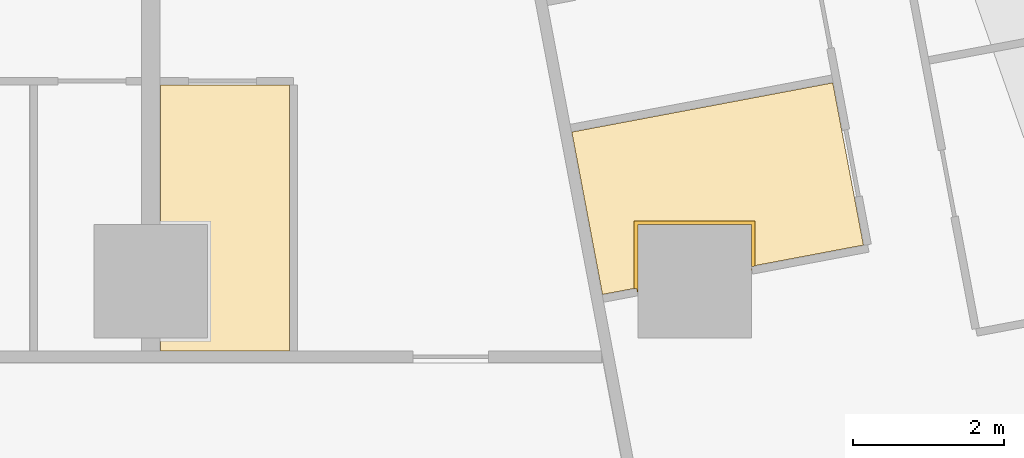
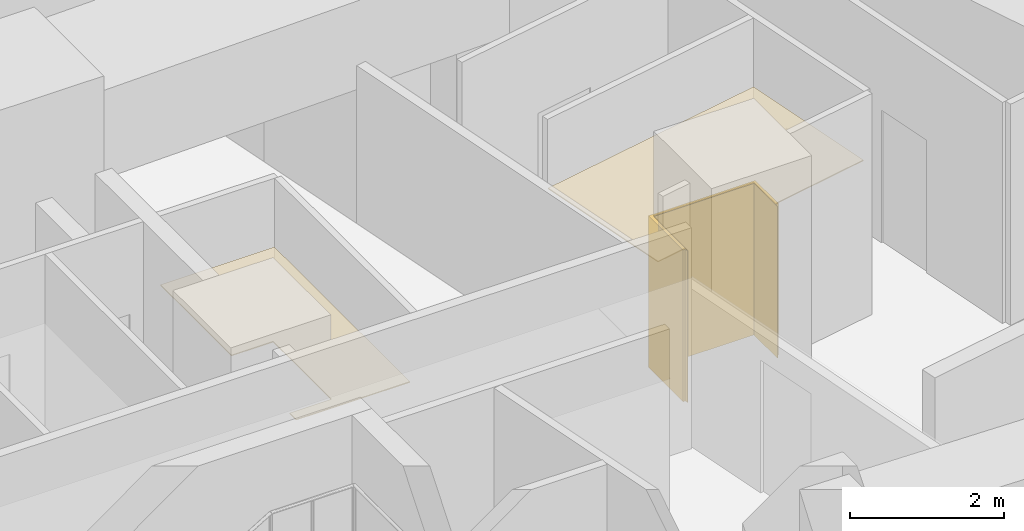
# One storey, part 15 of 15: 3 coverings.
"""IFC4 building model written with IfcOpenShell, lengths in metres."""

from ifc_helpers import new_model, si_unit, direction, frame, origin, place, context, subcontext, project, spatial, polyline, outline, extrude, material, layer, layer_set, type_object, element, save


model = new_model("IFC4")

# Units and contexts
model_context = context("Model", 3, precision=1e-05, world=origin(), true_north=direction((0.0, 1.0)))
body_context = subcontext(model_context, "Body", "Model", "MODEL_VIEW")
ifc_project = project(units=[si_unit("LENGTHUNIT", "METRE"), si_unit("AREAUNIT", "SQUARE_METRE"), si_unit("VOLUMEUNIT", "CUBIC_METRE"), si_unit("PLANEANGLEUNIT", "RADIAN"), si_unit("MASSUNIT", "GRAM", prefix="KILO")], contexts=[model_context])

# Site, building, storey
site_placement = place(None, origin())
site = spatial("IfcSite", under=ifc_project, at=site_placement, CompositionType="ELEMENT")
building_placement = place(site_placement, origin())
building = spatial("IfcBuilding", under=site, at=building_placement, Name="Sheger Commons Tower", CompositionType="ELEMENT")
storey_placement = place(building_placement, frame((0.0, 0.0, 180.800048828125)))
storey = spatial("IfcBuildingStorey", under=building, at=storey_placement, Name="L46", CompositionType="ELEMENT", Elevation=180.800048828125)

# Coverings
ifc_material_1 = material(Name="Moisture-resistant gypsum plasterboard 15 mm on a suspended galvanised steel grid", Category="steel")
ifc_layer_1 = layer(ifc_material_1, 0.014892578125)
ifc_layer_set_1 = layer_set([ifc_layer_1], Name="MOISTURE-RESISTANT CEILING 15")
covering_type_1 = type_object("IfcCoveringType", Name="MOISTURE-RESISTANT CEILING 15", PredefinedType="CEILING", material=ifc_layer_set_1)
covering_1_placement = place(storey_placement, frame((0.0, 0.0, 2.39990234375)))
element("IfcCovering", 1, at=covering_1_placement, inside=storey, type_object=covering_type_1, Name="L46-08.B1 ceiling", PredefinedType="CEILING", context=body_context, shape_type="SweptSolid", body=[
    extrude(outline(polyline([(34.780029296875, 37.325927734375), (35.235107421875, 37.412109375), (35.242919921875, 37.368896484375), (35.2451171875, 37.368896484375), (35.2451171875, 38.2548828125), (36.7548828125, 38.2548828125), (36.7548828125, 37.698974609375), (38.23388671875, 37.97900390625), (37.827880859375, 40.126953125), (34.3740234375, 39.47509765625), (34.780029296875, 37.325927734375)])), origin(), (0.0, 0.0, 1.0), 0.01513671875),
])
covering_2_placement = place(storey_placement, frame((0.0, 0.0, 2.39990234375)))
element("IfcCovering", 2, at=covering_2_placement, inside=storey, type_object=covering_type_1, Name="L46-14.B1 ceiling", PredefinedType="CEILING", context=body_context, shape_type="SweptSolid", body=[
    extrude(outline(polyline([(28.929931640625, 36.580078125), (30.635009765625, 36.580078125), (30.635009765625, 40.094970703125), (28.929931640625, 40.094970703125), (28.929931640625, 38.2548828125), (29.554931640625, 38.2548828125), (29.554931640625, 36.7451171875), (28.929931640625, 36.7451171875), (28.929931640625, 36.580078125)])), origin(), (0.0, 0.0, 1.0), 0.01513671875),
])
ifc_material_2 = material(Name="Moisture-resistant gypsum board 12.5 mm on 25 mm treated timber battens, tanked and tiled", Category="wood")
ifc_layer_2 = layer(ifc_material_2, 0.050048828125)
ifc_layer_set_2 = layer_set([ifc_layer_2], Name="WET-ROOM COLUMN LINING")
covering_type_2 = type_object("IfcCoveringType", Name="WET-ROOM COLUMN LINING", PredefinedType="CLADDING", material=ifc_layer_set_2)
covering_3_placement = place(storey_placement, origin())
element("IfcCovering", 3, at=covering_3_placement, inside=storey, type_object=covering_type_2, Name="Bathroom column lining C10 L46", PredefinedType="CLADDING", context=body_context, shape_type="SweptSolid", body=[
    extrude(outline(polyline([(36.800048828125, 38.300048828125), (36.800048828125, 37.701904296875), (36.7509765625, 37.693115234375), (36.760009765625, 37.64404296875), (36.75, 37.64208984375), (36.75, 38.25), (35.25, 38.25), (35.25, 37.35888671875), (35.239990234375, 37.35693359375), (35.23095703125, 37.406005859375), (35.199951171875, 37.39990234375), (35.199951171875, 38.300048828125), (36.800048828125, 38.300048828125)])), origin(), (0.0, 0.0, 1.0), 2.39990234375),
])

save(model, "model.ifc")
